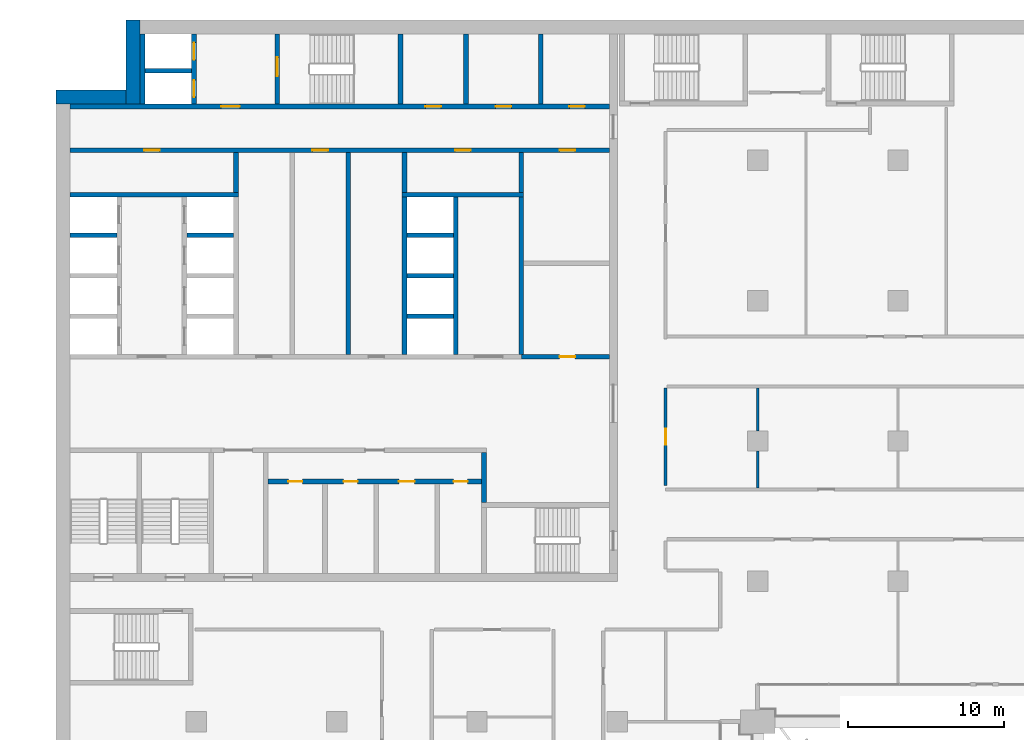
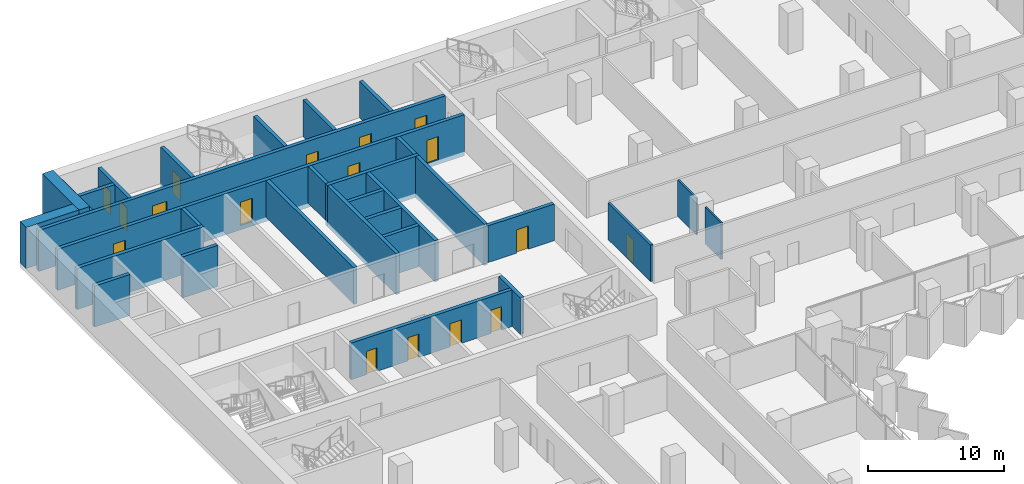
# One storey, part 13 of 23: 31 walls, 17 doors, 17 openings.
"""IFC4 building model written with IfcOpenShell, lengths in metres."""

from ifc_helpers import new_model, si_unit, direction, frame, frame_2d, origin, place, context, subcontext, project, spatial, rectangle, extrude, material, layer, layer_set, type_object, element, fill, save


model = new_model("IFC4")

# Units and contexts
model_context = context("Model", 3, precision=1e-05, world=origin(), true_north=direction((0.0, 1.0)))
body_context = subcontext(model_context, "Body", "Model", "MODEL_VIEW")
ifc_project = project(units=[si_unit("LENGTHUNIT", "METRE"), si_unit("AREAUNIT", "SQUARE_METRE"), si_unit("VOLUMEUNIT", "CUBIC_METRE"), si_unit("PLANEANGLEUNIT", "RADIAN"), si_unit("MASSUNIT", "GRAM", prefix="KILO")], contexts=[model_context])

# Site, building, storey
site_placement = place(None, origin())
site = spatial("IfcSite", under=ifc_project, at=site_placement, CompositionType="ELEMENT")
building_placement = place(site_placement, origin())
building = spatial("IfcBuilding", under=site, at=building_placement, Name="Hunhe Ridgeline Campus", CompositionType="ELEMENT")
storey_placement = place(building_placement, frame((0.0, 0.0, 103.300048828125)))
storey = spatial("IfcBuildingStorey", under=building, at=storey_placement, Name="L25", CompositionType="ELEMENT", Elevation=103.300048828125)

# Wall, openings, doors
ifc_material_1 = material(Name="Masonry concrete blockwork", Category="masonry")
ifc_layer_1 = layer(ifc_material_1, 0.300048828125)
ifc_layer_set_1 = layer_set([ifc_layer_1], Name="Core room partition 300 concrete block")
wall_type_1 = type_object("IfcWallType", Name="Core room partition 300 concrete block", PredefinedType="PARTITIONING", material=ifc_layer_set_1)
wall_1_placement = place(storey_placement, frame((13.60009765625, 69.39990234375, 0.0), z_axis=(0.0, 0.0, 1.0), x_axis=(1.0, 0.0, 0.0)))
wall_1 = element("IfcWall", 1, at=wall_1_placement, inside=storey, type_object=wall_type_1, Name="L25 core partition 9", PredefinedType="PARTITIONING", context=body_context, shape_type="SweptSolid", body=[
    extrude(rectangle(XDim=13.699951171875, YDim=0.300048828125, at=frame_2d((6.85009765625, 0.0))), origin(), (0.0, 0.0, 1.0), 3.300048828125),
])
opening_1_placement = place(wall_1_placement, frame((1.300048828125, 0.0, 0.0)))
opening_1 = element("IfcOpeningElement", 2, at=opening_1_placement, cuts=wall_1, Name="Opening CD8", PredefinedType="OPENING", context=body_context, shape_type="SweptSolid", body=[
    extrude(rectangle(XDim=0.89990234375, YDim=2.10009765625, at=frame_2d((0.449951171875, 1.050048828125))), frame((0.0, 0.14990234375, 0.0), z_axis=(0.0, -1.0, 0.0), x_axis=(1.0, 0.0, 0.0)), (0.0, 0.0, 1.0), 0.300048828125),
])
opening_2_placement = place(wall_1_placement, frame((4.85009765625, 0.0, 0.0)))
opening_2 = element("IfcOpeningElement", 3, at=opening_2_placement, cuts=wall_1, Name="Opening CD9", PredefinedType="OPENING", context=body_context, shape_type="SweptSolid", body=[
    extrude(rectangle(XDim=0.89990234375, YDim=2.10009765625, at=frame_2d((0.449951171875, 1.050048828125))), frame((0.0, 0.14990234375, 0.0), z_axis=(0.0, -1.0, 0.0), x_axis=(1.0, 0.0, 0.0)), (0.0, 0.0, 1.0), 0.300048828125),
])
opening_3_placement = place(wall_1_placement, frame((8.39990234375, 0.0, 0.0)))
opening_3 = element("IfcOpeningElement", 4, at=opening_3_placement, cuts=wall_1, Name="Opening CD10", PredefinedType="OPENING", context=body_context, shape_type="SweptSolid", body=[
    extrude(rectangle(XDim=1.0, YDim=2.10009765625, at=frame_2d((0.5, 1.050048828125))), frame((0.0, 0.14990234375, 0.0), z_axis=(0.0, -1.0, 0.0), x_axis=(1.0, 0.0, 0.0)), (0.0, 0.0, 1.0), 0.300048828125),
])
opening_4_placement = place(wall_1_placement, frame((11.89990234375, 0.0, 0.0)))
opening_4 = element("IfcOpeningElement", 5, at=opening_4_placement, cuts=wall_1, Name="Opening CD11", PredefinedType="OPENING", context=body_context, shape_type="SweptSolid", body=[
    extrude(rectangle(XDim=0.89990234375, YDim=2.10009765625, at=frame_2d((0.449951171875, 1.050048828125))), frame((0.0, 0.14990234375, 0.0), z_axis=(0.0, -1.0, 0.0), x_axis=(1.0, 0.0, 0.0)), (0.0, 0.0, 1.0), 0.300048828125),
])
ifc_material_2 = material(Name="Solid core timber door leaf", Category="wood")
door_type_1 = type_object("IfcDoorType", Name="Timber door 1000x2100", OperationType="SINGLE_SWING_LEFT", PredefinedType="DOOR", material=ifc_material_2)
door_1_placement = place(opening_3_placement, frame((1.0, 0.0, 0.0), z_axis=(0.0, 0.0, 1.0), x_axis=(-1.0, 0.0, 0.0)))
door_1 = element("IfcDoor", 6, at=door_1_placement, inside=storey, type_object=door_type_1, Name="L25 door WC3", OperationType="SINGLE_SWING_RIGHT", OverallHeight=2.10009765625, OverallWidth=1.0, PredefinedType="DOOR", context=body_context, shape_type="SweptSolid", body=[
    extrude(rectangle(XDim=1.0, YDim=2.10009765625, at=frame_2d((0.5, 1.050048828125))), frame((0.0, 0.02490234375, 0.0), z_axis=(0.0, -1.0, 0.0), x_axis=(1.0, 0.0, 0.0)), (0.0, 0.0, 1.0), 0.050048828125),
])
fill(opening_3, door_1)
door_type_2 = type_object("IfcDoorType", Name="Timber door 900x2100", OperationType="SINGLE_SWING_LEFT", PredefinedType="DOOR", material=ifc_material_2)
door_2_placement = place(opening_1_placement, frame((0.89990234375, 0.0, 0.0), z_axis=(0.0, 0.0, 1.0), x_axis=(-1.0, 0.0, 0.0)))
door_2 = element("IfcDoor", 7, at=door_2_placement, inside=storey, type_object=door_type_2, Name="L25 door WC1", OperationType="SINGLE_SWING_RIGHT", OverallHeight=2.10009765625, OverallWidth=0.89990234375, PredefinedType="DOOR", context=body_context, shape_type="SweptSolid", body=[
    extrude(rectangle(XDim=0.89990234375, YDim=2.10009765625, at=frame_2d((0.449951171875, 1.050048828125))), frame((0.0, 0.02490234375, 0.0), z_axis=(0.0, -1.0, 0.0), x_axis=(1.0, 0.0, 0.0)), (0.0, 0.0, 1.0), 0.050048828125),
])
fill(opening_1, door_2)
door_3_placement = place(opening_2_placement, frame((0.89990234375, 0.0, 0.0), z_axis=(0.0, 0.0, 1.0), x_axis=(-1.0, 0.0, 0.0)))
door_3 = element("IfcDoor", 8, at=door_3_placement, inside=storey, type_object=door_type_2, Name="L25 door WC2", OperationType="SINGLE_SWING_LEFT", OverallHeight=2.10009765625, OverallWidth=0.89990234375, PredefinedType="DOOR", context=body_context, shape_type="SweptSolid", body=[
    extrude(rectangle(XDim=0.89990234375, YDim=2.10009765625, at=frame_2d((0.449951171875, 1.050048828125))), frame((0.0, 0.02490234375, 0.0), z_axis=(0.0, -1.0, 0.0), x_axis=(1.0, 0.0, 0.0)), (0.0, 0.0, 1.0), 0.050048828125),
])
fill(opening_2, door_3)
door_4_placement = place(opening_4_placement, frame((0.89990234375, 0.0, 0.0), z_axis=(0.0, 0.0, 1.0), x_axis=(-1.0, 0.0, 0.0)))
door_4 = element("IfcDoor", 9, at=door_4_placement, inside=storey, type_object=door_type_2, Name="L25 door WC4", OperationType="SINGLE_SWING_LEFT", OverallHeight=2.10009765625, OverallWidth=0.89990234375, PredefinedType="DOOR", context=body_context, shape_type="SweptSolid", body=[
    extrude(rectangle(XDim=0.89990234375, YDim=2.10009765625, at=frame_2d((0.449951171875, 1.050048828125))), frame((0.0, 0.02490234375, 0.0), z_axis=(0.0, -1.0, 0.0), x_axis=(1.0, 0.0, 0.0)), (0.0, 0.0, 1.0), 0.050048828125),
])
fill(opening_4, door_4)

# Wall, opening, door
wall_2_placement = place(storey_placement, frame((29.85009765625, 77.39990234375, 0.0), z_axis=(0.0, 0.0, 1.0), x_axis=(1.0, 0.0, 0.0)))
wall_2 = element("IfcWall", 10, at=wall_2_placement, inside=storey, type_object=wall_type_1, Name="L25 core partition 13", PredefinedType="PARTITIONING", context=body_context, shape_type="SweptSolid", body=[
    extrude(rectangle(XDim=5.64990234375, YDim=0.300048828125, at=frame_2d((2.824951171875, 0.0))), origin(), (0.0, 0.0, 1.0), 3.300048828125),
])
opening_5_placement = place(wall_2_placement, frame((2.449951171875, 0.0, 0.0)))
opening_5 = element("IfcOpeningElement", 11, at=opening_5_placement, cuts=wall_2, Name="Opening CD32", PredefinedType="OPENING", context=body_context, shape_type="SweptSolid", body=[
    extrude(rectangle(XDim=1.0, YDim=2.10009765625, at=frame_2d((0.5, 1.050048828125))), frame((0.0, 0.14990234375, 0.0), z_axis=(0.0, -1.0, 0.0), x_axis=(1.0, 0.0, 0.0)), (0.0, 0.0, 1.0), 0.300048828125),
])
door_5_placement = place(opening_5_placement, origin())
door_5 = element("IfcDoor", 12, at=door_5_placement, inside=storey, type_object=door_type_1, Name="L25 door ES0", OperationType="SINGLE_SWING_LEFT", OverallHeight=2.10009765625, OverallWidth=1.0, PredefinedType="DOOR", context=body_context, shape_type="SweptSolid", body=[
    extrude(rectangle(XDim=1.0, YDim=2.10009765625, at=frame_2d((0.5, 1.050048828125))), frame((0.0, 0.02490234375, 0.0), z_axis=(0.0, -1.0, 0.0), x_axis=(1.0, 0.0, 0.0)), (0.0, 0.0, 1.0), 0.050048828125),
])
fill(opening_5, door_5)

# Walls
wall_3_placement = place(storey_placement, frame((11.550048828125, 87.949951171875, 0.0), z_axis=(0.0, 0.0, 1.0), x_axis=(0.0, 1.0, 0.0)))
element("IfcWall", 13, at=wall_3_placement, inside=storey, type_object=wall_type_1, Name="L25 core partition 41", PredefinedType="PARTITIONING", context=body_context, shape_type="SweptSolid", body=[
    extrude(rectangle(XDim=2.550048828125, YDim=0.300048828125, at=frame_2d((1.27490234375, 0.0))), origin(), (0.0, 0.0, 1.0), 3.300048828125),
])
wall_4_placement = place(storey_placement, frame((18.75, 77.550048828125, 0.0), z_axis=(0.0, 0.0, 1.0), x_axis=(0.0, 1.0, 0.0)))
element("IfcWall", 14, at=wall_4_placement, inside=storey, type_object=wall_type_1, Name="L25 core partition 46", PredefinedType="PARTITIONING", context=body_context, shape_type="SweptSolid", body=[
    extrude(rectangle(XDim=12.949951171875, YDim=0.300048828125, at=frame_2d((6.47509765625, 0.0))), origin(), (0.0, 0.0, 1.0), 3.300048828125),
])
wall_5_placement = place(storey_placement, frame((22.35009765625, 87.949951171875, 0.0), z_axis=(0.0, 0.0, 1.0), x_axis=(0.0, 1.0, 0.0)))
element("IfcWall", 15, at=wall_5_placement, inside=storey, type_object=wall_type_1, Name="L25 core partition 51", PredefinedType="PARTITIONING", context=body_context, shape_type="SweptSolid", body=[
    extrude(rectangle(XDim=2.550048828125, YDim=0.300048828125, at=frame_2d((1.27490234375, 0.0))), origin(), (0.0, 0.0, 1.0), 3.300048828125),
])
wall_6_placement = place(storey_placement, frame((26.300048828125, 93.60009765625, 0.0), z_axis=(0.0, 0.0, 1.0), x_axis=(0.0, 1.0, 0.0)))
element("IfcWall", 16, at=wall_6_placement, inside=storey, type_object=wall_type_1, Name="L25 core partition 55", PredefinedType="PARTITIONING", context=body_context, shape_type="SweptSolid", body=[
    extrude(rectangle(XDim=4.5, YDim=0.300048828125, at=frame_2d((2.25, 0.0))), origin(), (0.0, 0.0, 1.0), 3.300048828125),
])
wall_7_placement = place(storey_placement, frame((27.449951171875, 68.050048828125, 0.0), z_axis=(0.0, 0.0, 1.0), x_axis=(0.0, 1.0, 0.0)))
element("IfcWall", 17, at=wall_7_placement, inside=storey, type_object=wall_type_1, Name="L25 core partition 57", PredefinedType="PARTITIONING", context=body_context, shape_type="SweptSolid", body=[
    extrude(rectangle(XDim=3.199951171875, YDim=0.300048828125, at=frame_2d((1.60009765625, 0.0))), origin(), (0.0, 0.0, 1.0), 3.300048828125),
])
wall_8_placement = place(storey_placement, frame((29.85009765625, 87.949951171875, 0.0), z_axis=(0.0, 0.0, 1.0), x_axis=(0.0, 1.0, 0.0)))
element("IfcWall", 18, at=wall_8_placement, inside=storey, type_object=wall_type_1, Name="L25 core partition 59", PredefinedType="PARTITIONING", context=body_context, shape_type="SweptSolid", body=[
    extrude(rectangle(XDim=2.550048828125, YDim=0.300048828125, at=frame_2d((1.27490234375, 0.0))), origin(), (0.0, 0.0, 1.0), 3.300048828125),
])
wall_9_placement = place(storey_placement, frame((31.10009765625, 93.60009765625, 0.0), z_axis=(0.0, 0.0, 1.0), x_axis=(0.0, 1.0, 0.0)))
element("IfcWall", 19, at=wall_9_placement, inside=storey, type_object=wall_type_1, Name="L25 core partition 60", PredefinedType="PARTITIONING", context=body_context, shape_type="SweptSolid", body=[
    extrude(rectangle(XDim=4.5, YDim=0.300048828125, at=frame_2d((2.25, 0.0))), origin(), (0.0, 0.0, 1.0), 3.300048828125),
])

# Wall, opening, door
ifc_material_3 = material(Name="Gypsum board partition")
ifc_layer_2 = layer(ifc_material_3, 0.199951171875)
ifc_layer_set_2 = layer_set([ifc_layer_2], Name="Corridor partition 200 gypsum board on steel studs")
wall_type_2 = type_object("IfcWallType", Name="Corridor partition 200 gypsum board on steel studs", PredefinedType="PARTITIONING", material=ifc_layer_set_2)
wall_10_placement = place(storey_placement, frame((39.10009765625, 75.39990234375, 0.0), z_axis=(0.0, 0.0, 1.0), x_axis=(0.0, -1.0, 0.0)))
wall_10 = element("IfcWall", 20, at=wall_10_placement, inside=storey, type_object=wall_type_2, Name="F-L25-wall-053", PredefinedType="PARTITIONING", context=body_context, shape_type="SweptSolid", body=[
    extrude(rectangle(XDim=6.255615234375, YDim=0.199951171875, at=frame_2d((3.1279296875, 0.0))), origin(), (0.0, 0.0, 1.0), 3.300048828125),
])
opening_6_placement = place(wall_10_placement, frame((2.6279296875, 0.0, 0.0)))
opening_6 = element("IfcOpeningElement", 21, at=opening_6_placement, cuts=wall_10, Name="Opening RD1-028", PredefinedType="OPENING", context=body_context, shape_type="SweptSolid", body=[
    extrude(rectangle(XDim=1.0, YDim=2.10009765625, at=frame_2d((0.5, 1.050048828125))), frame((0.0, 0.10009765625, 0.0), z_axis=(0.0, -1.0, 0.0), x_axis=(1.0, 0.0, 0.0)), (0.0, 0.0, 1.0), 0.199951171875),
])
ifc_material_4 = material(Name="Timber door leaf", Category="wood")
door_type_3 = type_object("IfcDoorType", Name="Single fire door 1000x2100 timber FD60", OperationType="NOTDEFINED", PredefinedType="DOOR", material=ifc_material_4)
door_6_placement = place(opening_6_placement, origin())
door_6 = element("IfcDoor", 22, at=door_6_placement, inside=storey, type_object=door_type_3, Name="F-L25-door-028", OperationType="SINGLE_SWING_RIGHT", OverallHeight=2.10009765625, OverallWidth=1.0, PredefinedType="DOOR", context=body_context, shape_type="SweptSolid", body=[
    extrude(rectangle(XDim=1.0, YDim=2.10009765625, at=frame_2d((0.5, 1.050048828125))), frame((0.0, 0.02490234375, 0.0), z_axis=(0.0, -1.0, 0.0), x_axis=(1.0, 0.0, 0.0)), (0.0, 0.0, 1.0), 0.050048828125),
])
fill(opening_6, door_6)

# Wall, openings, doors
ifc_material_5 = material(Name="Concrete C80", Category="concrete")
ifc_layer_3 = layer(ifc_material_5, 0.300048828125)
ifc_layer_set_3 = layer_set([ifc_layer_3], Name="Lobby wall 300 reinforced concrete C80")
wall_type_3 = type_object("IfcWallType", Name="Lobby wall 300 reinforced concrete C80", PredefinedType="SOLIDWALL", material=ifc_layer_set_3)
wall_11_placement = place(storey_placement, frame((0.89990234375, 90.64990234375, -0.400146484375), z_axis=(0.0, 0.0, 1.0), x_axis=(1.0, 0.0, 0.0)))
wall_11 = element("IfcWall", 23, at=wall_11_placement, inside=storey, type_object=wall_type_3, Name="L25 core wall 26", PredefinedType="SOLIDWALL", context=body_context, shape_type="SweptSolid", body=[
    extrude(rectangle(XDim=34.60009765625, YDim=0.300048828125, at=frame_2d((17.300048828125, 0.0))), origin(), (0.0, 0.0, 1.0), 3.7001953125),
])
opening_7_placement = place(wall_11_placement, frame((4.75, 0.0, 0.39990234375)))
opening_7 = element("IfcOpeningElement", 24, at=opening_7_placement, cuts=wall_11, Name="Opening CD26", PredefinedType="OPENING", context=body_context, shape_type="SweptSolid", body=[
    extrude(rectangle(XDim=1.0, YDim=2.10009765625, at=frame_2d((0.5, 1.050048828125))), frame((0.0, 0.14990234375, 0.0), z_axis=(0.0, -1.0, 0.0), x_axis=(1.0, 0.0, 0.0)), (0.0, 0.0, 1.0), 0.300048828125),
])
opening_8_placement = place(wall_11_placement, frame((24.699951171875, 0.0, 0.39990234375)))
opening_8 = element("IfcOpeningElement", 25, at=opening_8_placement, cuts=wall_11, Name="Opening CD27", PredefinedType="OPENING", context=body_context, shape_type="SweptSolid", body=[
    extrude(rectangle(XDim=1.0, YDim=2.10009765625, at=frame_2d((0.5, 1.050048828125))), frame((0.0, 0.14990234375, 0.0), z_axis=(0.0, -1.0, 0.0), x_axis=(1.0, 0.0, 0.0)), (0.0, 0.0, 1.0), 0.300048828125),
])
opening_9_placement = place(wall_11_placement, frame((15.550048828125, 0.0, 0.39990234375)))
opening_9 = element("IfcOpeningElement", 26, at=opening_9_placement, cuts=wall_11, Name="Opening CD29", PredefinedType="OPENING", context=body_context, shape_type="SweptSolid", body=[
    extrude(rectangle(XDim=1.0, YDim=2.10009765625, at=frame_2d((0.5, 1.050048828125))), frame((0.0, 0.14990234375, 0.0), z_axis=(0.0, -1.0, 0.0), x_axis=(1.0, 0.0, 0.0)), (0.0, 0.0, 1.0), 0.300048828125),
])
opening_10_placement = place(wall_11_placement, frame((31.39990234375, 0.0, 0.39990234375)))
opening_10 = element("IfcOpeningElement", 27, at=opening_10_placement, cuts=wall_11, Name="Opening CD33", PredefinedType="OPENING", context=body_context, shape_type="SweptSolid", body=[
    extrude(rectangle(XDim=1.0, YDim=2.10009765625, at=frame_2d((0.5, 1.050048828125))), frame((0.0, 0.14990234375, 0.0), z_axis=(0.0, -1.0, 0.0), x_axis=(1.0, 0.0, 0.0)), (0.0, 0.0, 1.0), 0.300048828125),
])
door_7_placement = place(opening_7_placement, frame((1.0, 0.0, 0.0), z_axis=(0.0, 0.0, 1.0), x_axis=(-1.0, 0.0, 0.0)))
door_7 = element("IfcDoor", 28, at=door_7_placement, inside=storey, type_object=door_type_1, Name="L25 door NR-0", OperationType="SINGLE_SWING_RIGHT", OverallHeight=2.10009765625, OverallWidth=1.0, PredefinedType="DOOR", context=body_context, shape_type="SweptSolid", body=[
    extrude(rectangle(XDim=1.0, YDim=2.10009765625, at=frame_2d((0.5, 1.050048828125))), frame((0.0, 0.02490234375, 0.0), z_axis=(0.0, -1.0, 0.0), x_axis=(1.0, 0.0, 0.0)), (0.0, 0.0, 1.0), 0.050048828125),
])
fill(opening_7, door_7)
door_8_placement = place(opening_8_placement, frame((1.0, 0.0, 0.0), z_axis=(0.0, 0.0, 1.0), x_axis=(-1.0, 0.0, 0.0)))
door_8 = element("IfcDoor", 29, at=door_8_placement, inside=storey, type_object=door_type_1, Name="L25 door NR-1", OperationType="SINGLE_SWING_LEFT", OverallHeight=2.10009765625, OverallWidth=1.0, PredefinedType="DOOR", context=body_context, shape_type="SweptSolid", body=[
    extrude(rectangle(XDim=1.0, YDim=2.10009765625, at=frame_2d((0.5, 1.050048828125))), frame((0.0, 0.02490234375, 0.0), z_axis=(0.0, -1.0, 0.0), x_axis=(1.0, 0.0, 0.0)), (0.0, 0.0, 1.0), 0.050048828125),
])
fill(opening_8, door_8)
door_9_placement = place(opening_9_placement, frame((1.0, 0.0, 0.0), z_axis=(0.0, 0.0, 1.0), x_axis=(-1.0, 0.0, 0.0)))
door_9 = element("IfcDoor", 30, at=door_9_placement, inside=storey, type_object=door_type_1, Name="L25 door VD-HR1", OperationType="SINGLE_SWING_LEFT", OverallHeight=2.10009765625, OverallWidth=1.0, PredefinedType="DOOR", context=body_context, shape_type="SweptSolid", body=[
    extrude(rectangle(XDim=1.0, YDim=2.10009765625, at=frame_2d((0.5, 1.050048828125))), frame((0.0, 0.02490234375, 0.0), z_axis=(0.0, -1.0, 0.0), x_axis=(1.0, 0.0, 0.0)), (0.0, 0.0, 1.0), 0.050048828125),
])
fill(opening_9, door_9)
door_10_placement = place(opening_10_placement, frame((1.0, 0.0, 0.0), z_axis=(0.0, 0.0, 1.0), x_axis=(-1.0, 0.0, 0.0)))
door_10 = element("IfcDoor", 31, at=door_10_placement, inside=storey, type_object=door_type_1, Name="L25 door ES1", OperationType="SINGLE_SWING_LEFT", OverallHeight=2.10009765625, OverallWidth=1.0, PredefinedType="DOOR", context=body_context, shape_type="SweptSolid", body=[
    extrude(rectangle(XDim=1.0, YDim=2.10009765625, at=frame_2d((0.5, 1.050048828125))), frame((0.0, 0.02490234375, 0.0), z_axis=(0.0, -1.0, 0.0), x_axis=(1.0, 0.0, 0.0)), (0.0, 0.0, 1.0), 0.050048828125),
])
fill(opening_10, door_10)

# Walls
wall_12_placement = place(storey_placement, frame((29.85009765625, 77.550048828125, -0.400146484375), z_axis=(0.0, 0.0, 1.0), x_axis=(0.0, 1.0, 0.0)))
element("IfcWall", 32, at=wall_12_placement, inside=storey, type_object=wall_type_3, Name="L25 core wall 58", PredefinedType="SOLIDWALL", context=body_context, shape_type="SweptSolid", body=[
    extrude(rectangle(XDim=10.099853515625, YDim=0.300048828125, at=frame_2d((5.0498046875, 0.0))), origin(), (0.0, 0.0, 1.0), 3.7001953125),
])
ifc_layer_4 = layer(ifc_material_3, 0.14990234375)
ifc_layer_set_4 = layer_set([ifc_layer_4], Name="Room partition 150 gypsum board on steel studs")
wall_type_4 = type_object("IfcWallType", Name="Room partition 150 gypsum board on steel studs", PredefinedType="PARTITIONING", material=ifc_layer_set_4)
wall_13_placement = place(storey_placement, frame((45.0, 71.35009765625, 0.0), z_axis=(0.0, 0.0, 1.0), x_axis=(0.0, -1.0, 0.0)))
element("IfcWall", 33, at=wall_13_placement, inside=storey, type_object=wall_type_4, Name="F-L25-wall-056", PredefinedType="PARTITIONING", context=body_context, shape_type="SweptSolid", body=[
    extrude(rectangle(XDim=2.35009765625, YDim=0.14990234375, at=frame_2d((1.175048828125, 0.0))), origin(), (0.0, 0.0, 1.0), 3.300048828125),
])
wall_14_placement = place(storey_placement, frame((45.0, 75.39990234375, 0.0), z_axis=(0.0, 0.0, 1.0), x_axis=(0.0, -1.0, 0.0)))
element("IfcWall", 34, at=wall_14_placement, inside=storey, type_object=wall_type_4, Name="F-L25-wall-057", PredefinedType="PARTITIONING", context=body_context, shape_type="SweptSolid", body=[
    extrude(rectangle(XDim=2.75, YDim=0.14990234375, at=frame_2d((1.375, 0.0))), origin(), (0.0, 0.0, 1.0), 3.300048828125),
])
ifc_layer_5 = layer(ifc_material_5, 0.300048828125)
ifc_layer_set_5 = layer_set([ifc_layer_5], Name="Shaft wall 300 reinforced concrete C80")
wall_type_5 = type_object("IfcWallType", Name="Shaft wall 300 reinforced concrete C80", PredefinedType="SOLIDWALL", material=ifc_layer_set_5)
for number, where, z_axis, x_axis, name in (
    (35, (22.5, 80.0, -0.400146484375), (0.0, 0.0, 1.0), (1.0, 0.0, 0.0), "L25 core wall 16"),
    (36, (22.5, 82.60009765625, -0.400146484375), (0.0, 0.0, 1.0), (1.0, 0.0, 0.0), "L25 core wall 19"),
    (37, (0.89990234375, 85.199951171875, -0.400146484375), (0.0, 0.0, 1.0), (1.0, 0.0, 0.0), "L25 core wall 21"),
    (38, (8.39990234375, 85.199951171875, -0.400146484375), (0.0, 0.0, 1.0), (1.0, 0.0, 0.0), "L25 core wall 22"),
    (39, (22.5, 85.199951171875, -0.400146484375), (0.0, 0.0, 1.0), (1.0, 0.0, 0.0), "L25 core wall 23"),
):
    element("IfcWall", number, at=place(storey_placement, frame(where, z_axis=z_axis, x_axis=x_axis)), inside=storey, type_object=wall_type_5, Name=name, PredefinedType="SOLIDWALL", context=body_context, shape_type="SweptSolid", body=[
        extrude(rectangle(XDim=3.0, YDim=0.300048828125, at=frame_2d((1.5, 0.0))), origin(), (0.0, 0.0, 1.0), 3.7001953125),
    ])
wall_15_placement = place(storey_placement, frame((0.89990234375, 87.800048828125, -0.400146484375), z_axis=(0.0, 0.0, 1.0), x_axis=(1.0, 0.0, 0.0)))
element("IfcWall", 40, at=wall_15_placement, inside=storey, type_object=wall_type_5, Name="L25 core wall 24", PredefinedType="SOLIDWALL", context=body_context, shape_type="SweptSolid", body=[
    extrude(rectangle(XDim=10.800048828125, YDim=0.300048828125, at=frame_2d((5.39990234375, 0.0))), origin(), (0.0, 0.0, 1.0), 3.7001953125),
])
wall_16_placement = place(storey_placement, frame((22.199951171875, 87.800048828125, -0.400146484375), z_axis=(0.0, 0.0, 1.0), x_axis=(1.0, 0.0, 0.0)))
element("IfcWall", 41, at=wall_16_placement, inside=storey, type_object=wall_type_5, Name="L25 core wall 25", PredefinedType="SOLIDWALL", context=body_context, shape_type="SweptSolid", body=[
    extrude(rectangle(XDim=7.800048828125, YDim=0.300048828125, at=frame_2d((3.89990234375, 0.0))), origin(), (0.0, 0.0, 1.0), 3.7001953125),
])

# Wall, openings, doors
wall_17_placement = place(storey_placement, frame((0.89990234375, 93.449951171875, -0.400146484375), z_axis=(0.0, 0.0, 1.0), x_axis=(1.0, 0.0, 0.0)))
wall_17 = element("IfcWall", 42, at=wall_17_placement, inside=storey, type_object=wall_type_5, Name="L25 core wall 27", PredefinedType="SOLIDWALL", context=body_context, shape_type="SweptSolid", body=[
    extrude(rectangle(XDim=34.60009765625, YDim=0.300048828125, at=frame_2d((17.300048828125, 0.0))), origin(), (0.0, 0.0, 1.0), 3.7001953125),
])
opening_11_placement = place(wall_17_placement, frame((9.699951171875, 0.0, 0.39990234375)))
opening_11 = element("IfcOpeningElement", 43, at=opening_11_placement, cuts=wall_17, Name="Opening CD3", PredefinedType="OPENING", context=body_context, shape_type="SweptSolid", body=[
    extrude(rectangle(XDim=1.199951171875, YDim=2.10009765625, at=frame_2d((0.60009765625, 1.050048828125))), frame((0.0, 0.14990234375, 0.0), z_axis=(0.0, -1.0, 0.0), x_axis=(1.0, 0.0, 0.0)), (0.0, 0.0, 1.0), 0.300048828125),
])
opening_12_placement = place(wall_17_placement, frame((22.800048828125, 0.0, 0.39990234375)))
opening_12 = element("IfcOpeningElement", 44, at=opening_12_placement, cuts=wall_17, Name="Opening CD34", PredefinedType="OPENING", context=body_context, shape_type="SweptSolid", body=[
    extrude(rectangle(XDim=1.0, YDim=2.10009765625, at=frame_2d((0.5, 1.050048828125))), frame((0.0, 0.14990234375, 0.0), z_axis=(0.0, -1.0, 0.0), x_axis=(1.0, 0.0, 0.0)), (0.0, 0.0, 1.0), 0.300048828125),
])
opening_13_placement = place(wall_17_placement, frame((27.300048828125, 0.0, 0.39990234375)))
opening_13 = element("IfcOpeningElement", 45, at=opening_13_placement, cuts=wall_17, Name="Opening CD35", PredefinedType="OPENING", context=body_context, shape_type="SweptSolid", body=[
    extrude(rectangle(XDim=1.0, YDim=2.10009765625, at=frame_2d((0.5, 1.050048828125))), frame((0.0, 0.14990234375, 0.0), z_axis=(0.0, -1.0, 0.0), x_axis=(1.0, 0.0, 0.0)), (0.0, 0.0, 1.0), 0.300048828125),
])
opening_14_placement = place(wall_17_placement, frame((32.02490234375, 0.0, 0.39990234375)))
opening_14 = element("IfcOpeningElement", 46, at=opening_14_placement, cuts=wall_17, Name="Opening CD36", PredefinedType="OPENING", context=body_context, shape_type="SweptSolid", body=[
    extrude(rectangle(XDim=1.0, YDim=2.10009765625, at=frame_2d((0.5, 1.050048828125))), frame((0.0, 0.14990234375, 0.0), z_axis=(0.0, -1.0, 0.0), x_axis=(1.0, 0.0, 0.0)), (0.0, 0.0, 1.0), 0.300048828125),
])
ifc_material_6 = material(Name="Hollow metal fire door leaf")
door_type_4 = type_object("IfcDoorType", Name="Lobby door 1200x2100 FD60", OperationType="SINGLE_SWING_LEFT", PredefinedType="DOOR", material=ifc_material_6)
door_11_placement = place(opening_11_placement, frame((1.199951171875, 0.0, 0.0), z_axis=(0.0, 0.0, 1.0), x_axis=(-1.0, 0.0, 0.0)))
door_11 = element("IfcDoor", 47, at=door_11_placement, inside=storey, type_object=door_type_4, Name="L25 door FF-C1", OperationType="SINGLE_SWING_LEFT", OverallHeight=2.10009765625, OverallWidth=1.199951171875, PredefinedType="DOOR", context=body_context, shape_type="SweptSolid", body=[
    extrude(rectangle(XDim=1.199951171875, YDim=2.10009765625, at=frame_2d((0.60009765625, 1.050048828125))), frame((0.0, 0.02490234375, 0.0), z_axis=(0.0, -1.0, 0.0), x_axis=(1.0, 0.0, 0.0)), (0.0, 0.0, 1.0), 0.050048828125),
])
fill(opening_11, door_11)
door_12_placement = place(opening_12_placement, origin())
door_12 = element("IfcDoor", 48, at=door_12_placement, inside=storey, type_object=door_type_1, Name="L25 door NB0", OperationType="SINGLE_SWING_LEFT", OverallHeight=2.10009765625, OverallWidth=1.0, PredefinedType="DOOR", context=body_context, shape_type="SweptSolid", body=[
    extrude(rectangle(XDim=1.0, YDim=2.10009765625, at=frame_2d((0.5, 1.050048828125))), frame((0.0, 0.02490234375, 0.0), z_axis=(0.0, -1.0, 0.0), x_axis=(1.0, 0.0, 0.0)), (0.0, 0.0, 1.0), 0.050048828125),
])
fill(opening_12, door_12)
door_13_placement = place(opening_13_placement, origin())
door_13 = element("IfcDoor", 49, at=door_13_placement, inside=storey, type_object=door_type_1, Name="L25 door NB1", OperationType="SINGLE_SWING_RIGHT", OverallHeight=2.10009765625, OverallWidth=1.0, PredefinedType="DOOR", context=body_context, shape_type="SweptSolid", body=[
    extrude(rectangle(XDim=1.0, YDim=2.10009765625, at=frame_2d((0.5, 1.050048828125))), frame((0.0, 0.02490234375, 0.0), z_axis=(0.0, -1.0, 0.0), x_axis=(1.0, 0.0, 0.0)), (0.0, 0.0, 1.0), 0.050048828125),
])
fill(opening_13, door_13)
door_14_placement = place(opening_14_placement, origin())
door_14 = element("IfcDoor", 50, at=door_14_placement, inside=storey, type_object=door_type_1, Name="L25 door NB2", OperationType="SINGLE_SWING_LEFT", OverallHeight=2.10009765625, OverallWidth=1.0, PredefinedType="DOOR", context=body_context, shape_type="SweptSolid", body=[
    extrude(rectangle(XDim=1.0, YDim=2.10009765625, at=frame_2d((0.5, 1.050048828125))), frame((0.0, 0.02490234375, 0.0), z_axis=(0.0, -1.0, 0.0), x_axis=(1.0, 0.0, 0.0)), (0.0, 0.0, 1.0), 0.050048828125),
])
fill(opening_14, door_14)

# Walls
wall_18_placement = place(storey_placement, frame((5.699951171875, 95.75, -0.400146484375), z_axis=(0.0, 0.0, 1.0), x_axis=(1.0, 0.0, 0.0)))
element("IfcWall", 51, at=wall_18_placement, inside=storey, type_object=wall_type_5, Name="L25 core wall 31", PredefinedType="SOLIDWALL", context=body_context, shape_type="SweptSolid", body=[
    extrude(rectangle(XDim=3.0, YDim=0.300048828125, at=frame_2d((1.5, 0.0))), origin(), (0.0, 0.0, 1.0), 3.7001953125),
])
wall_19_placement = place(storey_placement, frame((5.550048828125, 93.60009765625, -0.400146484375), z_axis=(0.0, 0.0, 1.0), x_axis=(0.0, 1.0, 0.0)))
element("IfcWall", 52, at=wall_19_placement, inside=storey, type_object=wall_type_5, Name="L25 core wall 34", PredefinedType="SOLIDWALL", context=body_context, shape_type="SweptSolid", body=[
    extrude(rectangle(XDim=4.5, YDim=0.300048828125, at=frame_2d((2.25, 0.0))), origin(), (0.0, 0.0, 1.0), 3.7001953125),
])

# Wall, openings, doors
wall_20_placement = place(storey_placement, frame((8.85009765625, 93.60009765625, -0.400146484375), z_axis=(0.0, 0.0, 1.0), x_axis=(0.0, 1.0, 0.0)))
wall_20 = element("IfcWall", 53, at=wall_20_placement, inside=storey, type_object=wall_type_5, Name="L25 core wall 38", PredefinedType="SOLIDWALL", context=body_context, shape_type="SweptSolid", body=[
    extrude(rectangle(XDim=4.5, YDim=0.300048828125, at=frame_2d((2.25, 0.0))), origin(), (0.0, 0.0, 1.0), 3.7001953125),
])
opening_15_placement = place(wall_20_placement, frame((0.449951171875, 0.0, 0.39990234375)))
opening_15 = element("IfcOpeningElement", 54, at=opening_15_placement, cuts=wall_20, Name="Opening LD-FF1", PredefinedType="OPENING", context=body_context, shape_type="SweptSolid", body=[
    extrude(rectangle(XDim=1.10009765625, YDim=2.10009765625, at=frame_2d((0.550048828125, 1.050048828125))), frame((0.0, 0.14990234375, 0.0), z_axis=(0.0, -1.0, 0.0), x_axis=(1.0, 0.0, 0.0)), (0.0, 0.0, 1.0), 0.300048828125),
])
opening_16_placement = place(wall_20_placement, frame((2.85009765625, 0.0, 0.39990234375)))
opening_16 = element("IfcOpeningElement", 55, at=opening_16_placement, cuts=wall_20, Name="Opening LD-FF2", PredefinedType="OPENING", context=body_context, shape_type="SweptSolid", body=[
    extrude(rectangle(XDim=1.10009765625, YDim=2.10009765625, at=frame_2d((0.550048828125, 1.050048828125))), frame((0.0, 0.14990234375, 0.0), z_axis=(0.0, -1.0, 0.0), x_axis=(1.0, 0.0, 0.0)), (0.0, 0.0, 1.0), 0.300048828125),
])
ifc_material_7 = material(Name="Stainless steel sliding leaves", Category="steel")
door_type_5 = type_object("IfcDoorType", Name="Landing door 1100x2100 FD120", OperationType="SLIDING_TO_LEFT", PredefinedType="DOOR", material=ifc_material_7)
door_15_placement = place(opening_15_placement, origin())
door_15 = element("IfcDoor", 56, at=door_15_placement, inside=storey, type_object=door_type_5, Name="L25 landing door FF1", OperationType="SLIDING_TO_RIGHT", OverallHeight=2.10009765625, OverallWidth=1.10009765625, PredefinedType="DOOR", context=body_context, shape_type="SweptSolid", body=[
    extrude(rectangle(XDim=1.10009765625, YDim=2.10009765625, at=frame_2d((0.550048828125, 1.050048828125))), frame((0.0, 0.02490234375, 0.0), z_axis=(0.0, -1.0, 0.0), x_axis=(1.0, 0.0, 0.0)), (0.0, 0.0, 1.0), 0.050048828125),
])
fill(opening_15, door_15)
door_16_placement = place(opening_16_placement, origin())
door_16 = element("IfcDoor", 57, at=door_16_placement, inside=storey, type_object=door_type_5, Name="L25 landing door FF2", OperationType="SLIDING_TO_LEFT", OverallHeight=2.10009765625, OverallWidth=1.10009765625, PredefinedType="DOOR", context=body_context, shape_type="SweptSolid", body=[
    extrude(rectangle(XDim=1.10009765625, YDim=2.10009765625, at=frame_2d((0.550048828125, 1.050048828125))), frame((0.0, 0.02490234375, 0.0), z_axis=(0.0, -1.0, 0.0), x_axis=(1.0, 0.0, 0.0)), (0.0, 0.0, 1.0), 0.050048828125),
])
fill(opening_16, door_16)

# Walls
for number, where, z_axis, x_axis, name in (
    (58, (22.35009765625, 77.550048828125, -0.400146484375), (0.0, 0.0, 1.0), (0.0, 1.0, 0.0), "L25 core wall 50"),
    (59, (25.64990234375, 77.550048828125, -0.400146484375), (0.0, 0.0, 1.0), (0.0, 1.0, 0.0), "L25 core wall 54"),
):
    element("IfcWall", number, at=place(storey_placement, frame(where, z_axis=z_axis, x_axis=x_axis)), inside=storey, type_object=wall_type_5, Name=name, PredefinedType="SOLIDWALL", context=body_context, shape_type="SweptSolid", body=[
        extrude(rectangle(XDim=10.099853515625, YDim=0.300048828125, at=frame_2d((5.0498046875, 0.0))), origin(), (0.0, 0.0, 1.0), 3.7001953125),
    ])
ifc_material_8 = material(Name="Concrete C70", Category="concrete")
ifc_layer_6 = layer(ifc_material_8, 0.89990234375)
ifc_layer_set_6 = layer_set([ifc_layer_6], Name="Spine wall 900 Concrete C70")
wall_type_6 = type_object("IfcWallType", Name="Spine wall 900 Concrete C70", PredefinedType="SHEAR", material=ifc_layer_set_6)
for number, where, z_axis, x_axis, name in (
    (60, (4.949951171875, 99.0, 0.0), (0.0, 0.0, 1.0), (0.0, -1.0, 0.0), "Spine wall SW2-5 L25"),
    (61, (5.400146484375, 94.050048828125, 0.0), (0.0, 0.0, 1.0), (-1.0, 0.0, 0.0), "Spine wall SW2-6 L25"),
):
    element("IfcWall", number, at=place(storey_placement, frame(where, z_axis=z_axis, x_axis=x_axis)), inside=storey, type_object=wall_type_6, Name=name, PredefinedType="SHEAR", context=body_context, shape_type="SweptSolid", body=[
        extrude(rectangle(XDim=5.400146484375, YDim=0.89990234375, at=frame_2d((2.7001953125, 0.0))), origin(), (0.0, 0.0, 1.0), 3.699951171875),
    ])

# Wall, opening, door
ifc_layer_7 = layer(ifc_material_5, 0.300048828125)
ifc_layer_set_7 = layer_set([ifc_layer_7], Name="Stair wall 300 reinforced concrete C80")
wall_type_7 = type_object("IfcWallType", Name="Stair wall 300 reinforced concrete C80", PredefinedType="SOLIDWALL", material=ifc_layer_set_7)
wall_21_placement = place(storey_placement, frame((14.199951171875, 93.60009765625, -0.400146484375), z_axis=(0.0, 0.0, 1.0), x_axis=(0.0, 1.0, 0.0)))
wall_21 = element("IfcWall", 62, at=wall_21_placement, inside=storey, type_object=wall_type_7, Name="L25 core wall 43", PredefinedType="SOLIDWALL", context=body_context, shape_type="SweptSolid", body=[
    extrude(rectangle(XDim=4.5, YDim=0.300048828125, at=frame_2d((2.25, 0.0))), origin(), (0.0, 0.0, 1.0), 3.7001953125),
])
opening_17_placement = place(wall_21_placement, frame((1.800048828125, 0.0, 0.39990234375)))
opening_17 = element("IfcOpeningElement", 63, at=opening_17_placement, cuts=wall_21, Name="Opening CD16", PredefinedType="OPENING", context=body_context, shape_type="SweptSolid", body=[
    extrude(rectangle(XDim=1.199951171875, YDim=2.10009765625, at=frame_2d((0.60009765625, 1.050048828125))), frame((0.0, 0.14990234375, 0.0), z_axis=(0.0, -1.0, 0.0), x_axis=(1.0, 0.0, 0.0)), (0.0, 0.0, 1.0), 0.300048828125),
])
door_type_6 = type_object("IfcDoorType", Name="Stair door 1200x2100 FD60", OperationType="SINGLE_SWING_LEFT", PredefinedType="DOOR", material=ifc_material_6)
door_17_placement = place(opening_17_placement, origin())
door_17 = element("IfcDoor", 64, at=door_17_placement, inside=storey, type_object=door_type_6, Name="L25 door S1-FF", OperationType="SINGLE_SWING_LEFT", OverallHeight=2.10009765625, OverallWidth=1.199951171875, PredefinedType="DOOR", context=body_context, shape_type="SweptSolid", body=[
    extrude(rectangle(XDim=1.199951171875, YDim=2.10009765625, at=frame_2d((0.60009765625, 1.050048828125))), frame((0.0, 0.02490234375, 0.0), z_axis=(0.0, -1.0, 0.0), x_axis=(1.0, 0.0, 0.0)), (0.0, 0.0, 1.0), 0.050048828125),
])
fill(opening_17, door_17)

# Wall
wall_22_placement = place(storey_placement, frame((22.10009765625, 93.60009765625, -0.400146484375), z_axis=(0.0, 0.0, 1.0), x_axis=(0.0, 1.0, 0.0)))
element("IfcWall", 65, at=wall_22_placement, inside=storey, type_object=wall_type_7, Name="L25 core wall 49", PredefinedType="SOLIDWALL", context=body_context, shape_type="SweptSolid", body=[
    extrude(rectangle(XDim=4.5, YDim=0.300048828125, at=frame_2d((2.25, 0.0))), origin(), (0.0, 0.0, 1.0), 3.7001953125),
])

save(model, "model.ifc")
